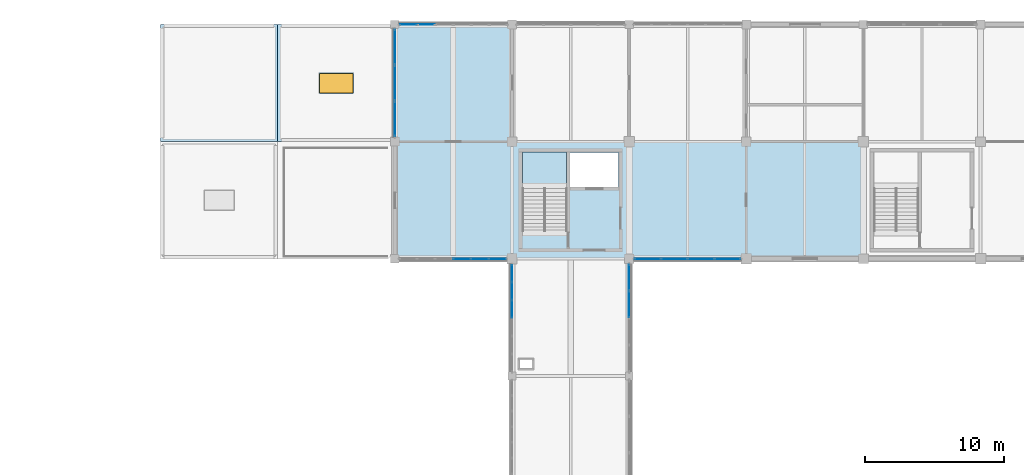
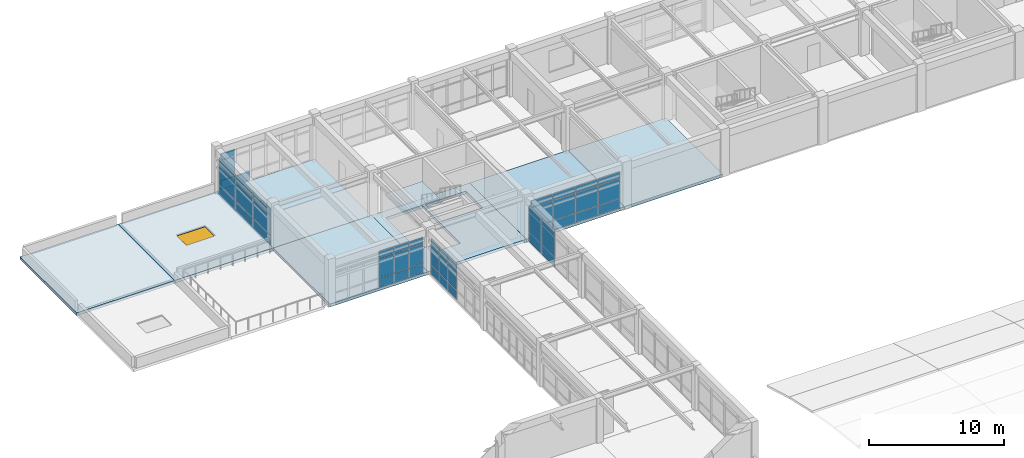
# One storey, part 25 of 40: 49 plates, 8 slabs, 1 window, 1 opening, 7 elements without a shape of their own.
"""IFC4 building model written with IfcOpenShell, lengths in metres."""

from ifc_helpers import new_model, si_unit, direction, frame, origin, origin_2d, place, context, subcontext, project, spatial, polyline, rectangle, outline, extrude, material, layer, layer_set, type_object, element, fill, aggregate, save


model = new_model("IFC4")

# Units and contexts
model_context = context("Model", 3, precision=1e-05, world=origin(), true_north=direction((0.0, 1.0)))
body_context = subcontext(model_context, "Body", "Model", "MODEL_VIEW")
ifc_project = project(units=[si_unit("LENGTHUNIT", "METRE"), si_unit("AREAUNIT", "SQUARE_METRE"), si_unit("VOLUMEUNIT", "CUBIC_METRE"), si_unit("PLANEANGLEUNIT", "RADIAN"), si_unit("MASSUNIT", "GRAM", prefix="KILO")], contexts=[model_context])

# Site, building, storey
site_placement = place(None, origin())
site = spatial("IfcSite", under=ifc_project, at=site_placement, CompositionType="ELEMENT")
building_placement = place(site_placement, origin())
building = spatial("IfcBuilding", under=site, at=building_placement, Name="Porcellanite Civic Hall", CompositionType="ELEMENT")
storey_placement = place(building_placement, frame((0.0, 0.0, 19.080078125)))
storey = spatial("IfcBuildingStorey", under=building, at=storey_placement, Name="L04", CompositionType="ELEMENT", Elevation=19.080078125)

# Curtain wall, plates
ifc_material_1 = material(Name="Anodised aluminium and solar laminated glass", Category="aluminium")
ifc_layer_1 = layer(ifc_material_1, 0.179931640625)
ifc_layer_set_1 = layer_set([ifc_layer_1], Name="Anodised aluminium and solar laminated glass")
curtain_wall_type_1 = type_object("IfcCurtainWallType", Name="CW-SYS01", PredefinedType="NOTDEFINED", material=ifc_layer_set_1)
curtain_wall_1_placement = place(storey_placement, origin())
curtain_wall_1 = element("IfcCurtainWall", 1, at=curtain_wall_1_placement, inside=storey, type_object=curtain_wall_type_1, Name="Curtain wall CW-245", PredefinedType="NOTDEFINED")
ifc_material_2 = material(Name="Cyclone laminated solar-control low-E glass", Category="glass")
ifc_layer_2 = layer(ifc_material_2, 0.033935546875)
ifc_layer_set_2 = layer_set([ifc_layer_2], Name="Cyclone laminated solar-control low-E glass")
plate_type_1 = type_object("IfcPlateType", Name="CWP-06", PredefinedType="CURTAIN_PANEL", material=ifc_layer_set_2)
plate_1_placement = place(storey_placement, frame((50.39990234375, 97.195556640625, 0.059814453125), z_axis=(0.0, 0.0, 1.0), x_axis=(0.0, 1.0, 0.0)))
plate_1 = element("IfcPlate", 2, at=plate_1_placement, type_object=plate_type_1, Name="CW-245 panel 4.1", PredefinedType="CURTAIN_PANEL", context=body_context, shape_type="SweptSolid", body=[
    extrude(rectangle(XDim=1.221435546875, YDim=0.033935546875, at=origin_2d()), origin(), (0.0, 0.0, 1.0), 0.81005859375),
])
plate_2_placement = place(storey_placement, frame((50.39990234375, 97.195556640625, 0.9296875), z_axis=(0.0, 0.0, 1.0), x_axis=(0.0, 1.0, 0.0)))
plate_2 = element("IfcPlate", 3, at=plate_2_placement, type_object=plate_type_1, Name="CW-245 panel 4.2", PredefinedType="CURTAIN_PANEL", context=body_context, shape_type="SweptSolid", body=[
    extrude(rectangle(XDim=1.221435546875, YDim=0.033935546875, at=origin_2d()), origin(), (0.0, 0.0, 1.0), 1.760009765625),
])
plate_3_placement = place(storey_placement, frame((50.39990234375, 97.195556640625, 2.75), z_axis=(0.0, 0.0, 1.0), x_axis=(0.0, 1.0, 0.0)))
plate_3 = element("IfcPlate", 4, at=plate_3_placement, type_object=plate_type_1, Name="CW-245 panel 4.3", PredefinedType="CURTAIN_PANEL", context=body_context, shape_type="SweptSolid", body=[
    extrude(rectangle(XDim=1.221435546875, YDim=0.033935546875, at=origin_2d()), origin(), (0.0, 0.0, 1.0), 0.56005859375),
])
plate_4_placement = place(storey_placement, frame((50.39990234375, 98.487060546875, 0.059814453125), z_axis=(0.0, 0.0, 1.0), x_axis=(0.0, 1.0, 0.0)))
plate_4 = element("IfcPlate", 5, at=plate_4_placement, type_object=plate_type_1, Name="CW-245 panel 5.1", PredefinedType="CURTAIN_PANEL", context=body_context, shape_type="SweptSolid", body=[
    extrude(rectangle(XDim=1.221435546875, YDim=0.033935546875, at=origin_2d()), origin(), (0.0, 0.0, 1.0), 0.81005859375),
])
plate_5_placement = place(storey_placement, frame((50.39990234375, 98.487060546875, 0.9296875), z_axis=(0.0, 0.0, 1.0), x_axis=(0.0, 1.0, 0.0)))
plate_5 = element("IfcPlate", 6, at=plate_5_placement, type_object=plate_type_1, Name="CW-245 panel 5.2", PredefinedType="CURTAIN_PANEL", context=body_context, shape_type="SweptSolid", body=[
    extrude(rectangle(XDim=1.221435546875, YDim=0.033935546875, at=origin_2d()), origin(), (0.0, 0.0, 1.0), 1.760009765625),
])
plate_6_placement = place(storey_placement, frame((50.39990234375, 98.487060546875, 2.75), z_axis=(0.0, 0.0, 1.0), x_axis=(0.0, 1.0, 0.0)))
plate_6 = element("IfcPlate", 7, at=plate_6_placement, type_object=plate_type_1, Name="CW-245 panel 5.3", PredefinedType="CURTAIN_PANEL", context=body_context, shape_type="SweptSolid", body=[
    extrude(rectangle(XDim=1.221435546875, YDim=0.033935546875, at=origin_2d()), origin(), (0.0, 0.0, 1.0), 0.56005859375),
])
plate_7_placement = place(storey_placement, frame((50.39990234375, 99.7607421875, 0.059814453125), z_axis=(0.0, 0.0, 1.0), x_axis=(0.0, 1.0, 0.0)))
plate_7 = element("IfcPlate", 8, at=plate_7_placement, type_object=plate_type_1, Name="CW-245 panel 6.1", PredefinedType="CURTAIN_PANEL", context=body_context, shape_type="SweptSolid", body=[
    extrude(rectangle(XDim=1.186279296875, YDim=0.033935546875, at=origin_2d()), origin(), (0.0, 0.0, 1.0), 0.81005859375),
])
plate_8_placement = place(storey_placement, frame((50.39990234375, 99.7607421875, 0.9296875), z_axis=(0.0, 0.0, 1.0), x_axis=(0.0, 1.0, 0.0)))
plate_8 = element("IfcPlate", 9, at=plate_8_placement, type_object=plate_type_1, Name="CW-245 panel 6.2", PredefinedType="CURTAIN_PANEL", context=body_context, shape_type="SweptSolid", body=[
    extrude(rectangle(XDim=1.186279296875, YDim=0.033935546875, at=origin_2d()), origin(), (0.0, 0.0, 1.0), 1.760009765625),
])
plate_9_placement = place(storey_placement, frame((50.39990234375, 99.7607421875, 2.75), z_axis=(0.0, 0.0, 1.0), x_axis=(0.0, 1.0, 0.0)))
plate_9 = element("IfcPlate", 10, at=plate_9_placement, type_object=plate_type_1, Name="CW-245 panel 6.3", PredefinedType="CURTAIN_PANEL", context=body_context, shape_type="SweptSolid", body=[
    extrude(rectangle(XDim=1.186279296875, YDim=0.033935546875, at=origin_2d()), origin(), (0.0, 0.0, 1.0), 0.56005859375),
])
aggregate(curtain_wall_1, [plate_1, plate_2, plate_3, plate_4, plate_5, plate_6, plate_7, plate_8, plate_9])

ifc_material_3 = material(Name="Anodised aluminium and solar laminated glass", Category="aluminium")
ifc_layer_3 = layer(ifc_material_3, 0.179931640625)
ifc_layer_set_3 = layer_set([ifc_layer_3], Name="Anodised aluminium and solar laminated glass")
curtain_wall_type_2 = type_object("IfcCurtainWallType", Name="CW-SYS03", PredefinedType="NOTDEFINED", material=ifc_layer_set_3)
curtain_wall_2_placement = place(storey_placement, origin())
curtain_wall_2 = element("IfcCurtainWall", 11, at=curtain_wall_2_placement, inside=storey, type_object=curtain_wall_type_2, Name="Curtain wall CW-246", PredefinedType="NOTDEFINED")
ifc_material_4 = material(Name="Cyclone laminated solar-control low-E glass", Category="glass")
ifc_layer_4 = layer(ifc_material_4, 0.035888671875)
ifc_layer_set_4 = layer_set([ifc_layer_4], Name="Cyclone laminated solar-control low-E glass")
plate_type_2 = type_object("IfcPlateType", Name="CWP-07", PredefinedType="CURTAIN_PANEL", material=ifc_layer_set_4)
plate_10_placement = place(storey_placement, frame((58.800048828125, 99.457275390625, 0.054931640625), z_axis=(0.0, 0.0, 1.0), x_axis=(0.0, -1.0, 0.0)))
plate_10 = element("IfcPlate", 12, at=plate_10_placement, type_object=plate_type_2, Name="CW-246 panel 1.1", PredefinedType="CURTAIN_PANEL", context=body_context, shape_type="SweptSolid", body=[
    extrude(rectangle(XDim=1.8232421875, YDim=0.035888671875, at=origin_2d()), origin(), (0.0, 0.0, 1.0), 0.8173828125),
])
plate_11_placement = place(storey_placement, frame((58.800048828125, 99.457275390625, 0.92724609375), z_axis=(0.0, 0.0, 1.0), x_axis=(0.0, -1.0, 0.0)))
plate_11 = element("IfcPlate", 13, at=plate_11_placement, type_object=plate_type_2, Name="CW-246 panel 1.2", PredefinedType="CURTAIN_PANEL", context=body_context, shape_type="SweptSolid", body=[
    extrude(rectangle(XDim=1.8232421875, YDim=0.035888671875, at=origin_2d()), origin(), (0.0, 0.0, 1.0), 1.764892578125),
])
plate_12_placement = place(storey_placement, frame((58.800048828125, 99.457275390625, 2.74755859375), z_axis=(0.0, 0.0, 1.0), x_axis=(0.0, -1.0, 0.0)))
plate_12 = element("IfcPlate", 14, at=plate_12_placement, type_object=plate_type_2, Name="CW-246 panel 1.3", PredefinedType="CURTAIN_PANEL", context=body_context, shape_type="SweptSolid", body=[
    extrude(rectangle(XDim=1.8232421875, YDim=0.035888671875, at=origin_2d()), origin(), (0.0, 0.0, 1.0), 0.5673828125),
])
plate_13_placement = place(storey_placement, frame((58.800048828125, 97.5341796875, 0.054931640625), z_axis=(0.0, 0.0, 1.0), x_axis=(0.0, -1.0, 0.0)))
plate_13 = element("IfcPlate", 15, at=plate_13_placement, type_object=plate_type_2, Name="CW-246 panel 2.1", PredefinedType="CURTAIN_PANEL", context=body_context, shape_type="SweptSolid", body=[
    extrude(rectangle(XDim=1.86328125, YDim=0.035888671875, at=origin_2d()), origin(), (0.0, 0.0, 1.0), 0.8173828125),
])
plate_14_placement = place(storey_placement, frame((58.800048828125, 97.5341796875, 0.92724609375), z_axis=(0.0, 0.0, 1.0), x_axis=(0.0, -1.0, 0.0)))
plate_14 = element("IfcPlate", 16, at=plate_14_placement, type_object=plate_type_2, Name="CW-246 panel 2.2", PredefinedType="CURTAIN_PANEL", context=body_context, shape_type="SweptSolid", body=[
    extrude(rectangle(XDim=1.86328125, YDim=0.035888671875, at=origin_2d()), origin(), (0.0, 0.0, 1.0), 1.764892578125),
])
plate_15_placement = place(storey_placement, frame((58.800048828125, 97.5341796875, 2.74755859375), z_axis=(0.0, 0.0, 1.0), x_axis=(0.0, -1.0, 0.0)))
plate_15 = element("IfcPlate", 17, at=plate_15_placement, type_object=plate_type_2, Name="CW-246 panel 2.3", PredefinedType="CURTAIN_PANEL", context=body_context, shape_type="SweptSolid", body=[
    extrude(rectangle(XDim=1.86328125, YDim=0.035888671875, at=origin_2d()), origin(), (0.0, 0.0, 1.0), 0.5673828125),
])
aggregate(curtain_wall_2, [plate_10, plate_11, plate_12, plate_13, plate_14, plate_15])

ifc_material_5 = material(Name="Anodised aluminium and solar laminated glass", Category="aluminium")
ifc_layer_5 = layer(ifc_material_5, 0.179931640625)
ifc_layer_set_5 = layer_set([ifc_layer_5], Name="Anodised aluminium and solar laminated glass")
curtain_wall_type_3 = type_object("IfcCurtainWallType", Name="CW-SYS07", PredefinedType="NOTDEFINED", material=ifc_layer_set_5)
curtain_wall_3_placement = place(storey_placement, origin())
curtain_wall_3 = element("IfcCurtainWall", 18, at=curtain_wall_3_placement, inside=storey, type_object=curtain_wall_type_3, Name="Curtain wall CW-237", PredefinedType="NOTDEFINED")
ifc_material_6 = material(Name="Insulated ochre aluminium spandrel panel", Category="aluminium")
ifc_layer_6 = layer(ifc_material_6, 0.0380859375)
ifc_layer_set_6 = layer_set([ifc_layer_6], Name="Insulated ochre aluminium spandrel panel")
plate_type_3 = type_object("IfcPlateType", Name="CWP-08", PredefinedType="CURTAIN_PANEL", material=ifc_layer_set_6)
plate_16_placement = place(storey_placement, frame((49.365478515625, 100.800048828125, 0.0498046875), z_axis=(0.0, 0.0, 1.0), x_axis=(-1.0, 0.0, 0.0)))
plate_16 = element("IfcPlate", 19, at=plate_16_placement, type_object=plate_type_3, Name="CW-237 panel 1.1", PredefinedType="CURTAIN_PANEL", context=body_context, shape_type="SweptSolid", body=[
    extrude(rectangle(XDim=1.197265625, YDim=0.0380859375, at=origin_2d()), origin(), (0.0, 0.0, 1.0), 0.824951171875),
])
plate_17_placement = place(storey_placement, frame((49.365478515625, 100.800048828125, 0.9248046875), z_axis=(0.0, 0.0, 1.0), x_axis=(-1.0, 0.0, 0.0)))
plate_17 = element("IfcPlate", 20, at=plate_17_placement, type_object=plate_type_3, Name="CW-237 panel 1.2", PredefinedType="CURTAIN_PANEL", context=body_context, shape_type="SweptSolid", body=[
    extrude(rectangle(XDim=1.197265625, YDim=0.0380859375, at=origin_2d()), origin(), (0.0, 0.0, 1.0), 1.77001953125),
])
plate_18_placement = place(storey_placement, frame((49.365478515625, 100.800048828125, 2.7451171875), z_axis=(0.0, 0.0, 1.0), x_axis=(-1.0, 0.0, 0.0)))
plate_18 = element("IfcPlate", 21, at=plate_18_placement, type_object=plate_type_3, Name="CW-237 panel 1.3", PredefinedType="CURTAIN_PANEL", context=body_context, shape_type="SweptSolid", body=[
    extrude(rectangle(XDim=1.197265625, YDim=0.0380859375, at=origin_2d()), origin(), (0.0, 0.0, 1.0), 0.574951171875),
])
plate_19_placement = place(storey_placement, frame((48.09326171875, 100.800048828125, 0.0498046875), z_axis=(0.0, 0.0, 1.0), x_axis=(-1.0, 0.0, 0.0)))
plate_19 = element("IfcPlate", 22, at=plate_19_placement, type_object=plate_type_3, Name="CW-237 panel 2.1", PredefinedType="CURTAIN_PANEL", context=body_context, shape_type="SweptSolid", body=[
    extrude(rectangle(XDim=1.22705078125, YDim=0.0380859375, at=origin_2d()), origin(), (0.0, 0.0, 1.0), 0.824951171875),
])
plate_20_placement = place(storey_placement, frame((48.09326171875, 100.800048828125, 0.9248046875), z_axis=(0.0, 0.0, 1.0), x_axis=(-1.0, 0.0, 0.0)))
plate_20 = element("IfcPlate", 23, at=plate_20_placement, type_object=plate_type_3, Name="CW-237 panel 2.2", PredefinedType="CURTAIN_PANEL", context=body_context, shape_type="SweptSolid", body=[
    extrude(rectangle(XDim=1.22705078125, YDim=0.0380859375, at=origin_2d()), origin(), (0.0, 0.0, 1.0), 1.77001953125),
])
plate_21_placement = place(storey_placement, frame((48.09326171875, 100.800048828125, 2.7451171875), z_axis=(0.0, 0.0, 1.0), x_axis=(-1.0, 0.0, 0.0)))
plate_21 = element("IfcPlate", 24, at=plate_21_placement, type_object=plate_type_3, Name="CW-237 panel 2.3", PredefinedType="CURTAIN_PANEL", context=body_context, shape_type="SweptSolid", body=[
    extrude(rectangle(XDim=1.22705078125, YDim=0.0380859375, at=origin_2d()), origin(), (0.0, 0.0, 1.0), 0.574951171875),
])
plate_22_placement = place(storey_placement, frame((46.80615234375, 100.800048828125, 0.0498046875), z_axis=(0.0, 0.0, 1.0), x_axis=(-1.0, 0.0, 0.0)))
plate_22 = element("IfcPlate", 25, at=plate_22_placement, type_object=plate_type_3, Name="CW-237 panel 3.1", PredefinedType="CURTAIN_PANEL", context=body_context, shape_type="SweptSolid", body=[
    extrude(rectangle(XDim=1.22705078125, YDim=0.0380859375, at=origin_2d()), origin(), (0.0, 0.0, 1.0), 0.824951171875),
])
plate_23_placement = place(storey_placement, frame((46.80615234375, 100.800048828125, 0.9248046875), z_axis=(0.0, 0.0, 1.0), x_axis=(-1.0, 0.0, 0.0)))
plate_23 = element("IfcPlate", 26, at=plate_23_placement, type_object=plate_type_3, Name="CW-237 panel 3.2", PredefinedType="CURTAIN_PANEL", context=body_context, shape_type="SweptSolid", body=[
    extrude(rectangle(XDim=1.22705078125, YDim=0.0380859375, at=origin_2d()), origin(), (0.0, 0.0, 1.0), 1.77001953125),
])
plate_24_placement = place(storey_placement, frame((46.80615234375, 100.800048828125, 2.7451171875), z_axis=(0.0, 0.0, 1.0), x_axis=(-1.0, 0.0, 0.0)))
plate_24 = element("IfcPlate", 27, at=plate_24_placement, type_object=plate_type_3, Name="CW-237 panel 3.3", PredefinedType="CURTAIN_PANEL", context=body_context, shape_type="SweptSolid", body=[
    extrude(rectangle(XDim=1.22705078125, YDim=0.0380859375, at=origin_2d()), origin(), (0.0, 0.0, 1.0), 0.574951171875),
])
aggregate(curtain_wall_3, [plate_16, plate_17, plate_18, plate_19, plate_20, plate_21, plate_22, plate_23, plate_24])

ifc_material_7 = material(Name="Anodised aluminium and solar laminated glass", Category="aluminium")
ifc_layer_7 = layer(ifc_material_7, 0.179931640625)
ifc_layer_set_7 = layer_set([ifc_layer_7], Name="Anodised aluminium and solar laminated glass")
curtain_wall_type_4 = type_object("IfcCurtainWallType", Name="CW-SYS08", PredefinedType="NOTDEFINED", material=ifc_layer_set_7)
curtain_wall_4_placement = place(storey_placement, origin())
curtain_wall_4 = element("IfcCurtainWall", 28, at=curtain_wall_4_placement, inside=storey, type_object=curtain_wall_type_4, Name="Curtain wall CW-238", PredefinedType="NOTDEFINED")
ifc_material_8 = material(Name="Insulated ochre aluminium spandrel panel", Category="aluminium")
ifc_layer_8 = layer(ifc_material_8, 0.0419921875)
ifc_layer_set_8 = layer_set([ifc_layer_8], Name="Insulated ochre aluminium spandrel panel")
plate_type_4 = type_object("IfcPlateType", Name="CWP-09", PredefinedType="CURTAIN_PANEL", material=ifc_layer_set_8)
plate_25_placement = place(storey_placement, frame((42.0, 110.841552734375, 0.070068359375), z_axis=(0.0, 0.0, 1.0), x_axis=(0.0, 1.0, 0.0)))
plate_25 = element("IfcPlate", 29, at=plate_25_placement, type_object=plate_type_4, Name="CW-238 panel 1.1", PredefinedType="CURTAIN_PANEL", context=body_context, shape_type="SweptSolid", body=[
    extrude(rectangle(XDim=2.470947265625, YDim=0.0419921875, at=origin_2d()), origin(), (0.0, 0.0, 1.0), 0.794921875),
])
plate_26_placement = place(storey_placement, frame((42.0, 110.841552734375, 0.934814453125), z_axis=(0.0, 0.0, 1.0), x_axis=(0.0, 1.0, 0.0)))
plate_26 = element("IfcPlate", 30, at=plate_26_placement, type_object=plate_type_4, Name="CW-238 panel 1.2", PredefinedType="CURTAIN_PANEL", context=body_context, shape_type="SweptSolid", body=[
    extrude(rectangle(XDim=2.470947265625, YDim=0.0419921875, at=origin_2d()), origin(), (0.0, 0.0, 1.0), 1.75),
])
plate_27_placement = place(storey_placement, frame((42.0, 110.841552734375, 2.7548828125), z_axis=(0.0, 0.0, 1.0), x_axis=(0.0, 1.0, 0.0)))
plate_27 = element("IfcPlate", 31, at=plate_27_placement, type_object=plate_type_4, Name="CW-238 panel 1.3", PredefinedType="CURTAIN_PANEL", context=body_context, shape_type="SweptSolid", body=[
    extrude(rectangle(XDim=2.470947265625, YDim=0.0419921875, at=origin_2d()), origin(), (0.0, 0.0, 1.0), 0.544921875),
])
plate_28_placement = place(storey_placement, frame((42.0, 113.41259765625, 0.070068359375), z_axis=(0.0, 0.0, 1.0), x_axis=(0.0, 1.0, 0.0)))
plate_28 = element("IfcPlate", 32, at=plate_28_placement, type_object=plate_type_4, Name="CW-238 panel 2.1", PredefinedType="CURTAIN_PANEL", context=body_context, shape_type="SweptSolid", body=[
    extrude(rectangle(XDim=2.510986328125, YDim=0.0419921875, at=origin_2d()), origin(), (0.0, 0.0, 1.0), 0.794921875),
])
plate_29_placement = place(storey_placement, frame((42.0, 113.41259765625, 0.934814453125), z_axis=(0.0, 0.0, 1.0), x_axis=(0.0, 1.0, 0.0)))
plate_29 = element("IfcPlate", 33, at=plate_29_placement, type_object=plate_type_4, Name="CW-238 panel 2.2", PredefinedType="CURTAIN_PANEL", context=body_context, shape_type="SweptSolid", body=[
    extrude(rectangle(XDim=2.510986328125, YDim=0.0419921875, at=origin_2d()), origin(), (0.0, 0.0, 1.0), 1.75),
])
plate_30_placement = place(storey_placement, frame((42.0, 113.41259765625, 2.7548828125), z_axis=(0.0, 0.0, 1.0), x_axis=(0.0, 1.0, 0.0)))
plate_30 = element("IfcPlate", 34, at=plate_30_placement, type_object=plate_type_4, Name="CW-238 panel 2.3", PredefinedType="CURTAIN_PANEL", context=body_context, shape_type="SweptSolid", body=[
    extrude(rectangle(XDim=2.510986328125, YDim=0.0419921875, at=origin_2d()), origin(), (0.0, 0.0, 1.0), 0.544921875),
])
plate_31_placement = place(storey_placement, frame((42.0, 115.9833984375, 0.070068359375), z_axis=(0.0, 0.0, 1.0), x_axis=(0.0, 1.0, 0.0)))
plate_31 = element("IfcPlate", 35, at=plate_31_placement, type_object=plate_type_4, Name="CW-238 panel 3.1", PredefinedType="CURTAIN_PANEL", context=body_context, shape_type="SweptSolid", body=[
    extrude(rectangle(XDim=2.470947265625, YDim=0.0419921875, at=origin_2d()), origin(), (0.0, 0.0, 1.0), 0.794921875),
])
plate_32_placement = place(storey_placement, frame((42.0, 115.9833984375, 0.934814453125), z_axis=(0.0, 0.0, 1.0), x_axis=(0.0, 1.0, 0.0)))
plate_32 = element("IfcPlate", 36, at=plate_32_placement, type_object=plate_type_4, Name="CW-238 panel 3.2", PredefinedType="CURTAIN_PANEL", context=body_context, shape_type="SweptSolid", body=[
    extrude(rectangle(XDim=2.470947265625, YDim=0.0419921875, at=origin_2d()), origin(), (0.0, 0.0, 1.0), 1.75),
])
plate_33_placement = place(storey_placement, frame((42.0, 115.9833984375, 2.7548828125), z_axis=(0.0, 0.0, 1.0), x_axis=(0.0, 1.0, 0.0)))
plate_33 = element("IfcPlate", 37, at=plate_33_placement, type_object=plate_type_4, Name="CW-238 panel 3.3", PredefinedType="CURTAIN_PANEL", context=body_context, shape_type="SweptSolid", body=[
    extrude(rectangle(XDim=2.470947265625, YDim=0.0419921875, at=origin_2d()), origin(), (0.0, 0.0, 1.0), 0.544921875),
])
aggregate(curtain_wall_4, [plate_25, plate_26, plate_27, plate_28, plate_29, plate_30, plate_31, plate_32, plate_33])

ifc_material_9 = material(Name="Anodised aluminium and solar laminated glass", Category="aluminium")
ifc_layer_9 = layer(ifc_material_9, 0.179931640625)
ifc_layer_set_9 = layer_set([ifc_layer_9], Name="Anodised aluminium and solar laminated glass")
curtain_wall_type_5 = type_object("IfcCurtainWallType", Name="CW-SYS06", PredefinedType="NOTDEFINED", material=ifc_layer_set_9)
curtain_wall_5_placement = place(storey_placement, origin())
curtain_wall_5 = element("IfcCurtainWall", 38, at=curtain_wall_5_placement, inside=storey, type_object=curtain_wall_type_5, Name="Curtain wall CW-248", PredefinedType="NOTDEFINED")
plate_34_placement = place(storey_placement, frame((65.8486328125, 100.800048828125, 0.0498046875), z_axis=(0.0, 0.0, 1.0), x_axis=(-1.0, 0.0, 0.0)))
plate_34 = element("IfcPlate", 39, at=plate_34_placement, type_object=plate_type_4, Name="CW-248 panel 1.1", PredefinedType="CURTAIN_PANEL", context=body_context, shape_type="SweptSolid", body=[
    extrude(rectangle(XDim=1.82080078125, YDim=0.0419921875, at=origin_2d()), origin(), (0.0, 0.0, 1.0), 0.824951171875),
])
plate_35_placement = place(storey_placement, frame((65.8486328125, 100.800048828125, 0.9248046875), z_axis=(0.0, 0.0, 1.0), x_axis=(-1.0, 0.0, 0.0)))
plate_35 = element("IfcPlate", 40, at=plate_35_placement, type_object=plate_type_4, Name="CW-248 panel 1.2", PredefinedType="CURTAIN_PANEL", context=body_context, shape_type="SweptSolid", body=[
    extrude(rectangle(XDim=1.82080078125, YDim=0.0419921875, at=origin_2d()), origin(), (0.0, 0.0, 1.0), 1.77001953125),
])
plate_36_placement = place(storey_placement, frame((65.8486328125, 100.800048828125, 2.7451171875), z_axis=(0.0, 0.0, 1.0), x_axis=(-1.0, 0.0, 0.0)))
plate_36 = element("IfcPlate", 41, at=plate_36_placement, type_object=plate_type_4, Name="CW-248 panel 1.3", PredefinedType="CURTAIN_PANEL", context=body_context, shape_type="SweptSolid", body=[
    extrude(rectangle(XDim=1.82080078125, YDim=0.0419921875, at=origin_2d()), origin(), (0.0, 0.0, 1.0), 0.574951171875),
])
plate_37_placement = place(storey_placement, frame((63.946533203125, 100.800048828125, 0.0498046875), z_axis=(0.0, 0.0, 1.0), x_axis=(-1.0, 0.0, 0.0)))
plate_37 = element("IfcPlate", 42, at=plate_37_placement, type_object=plate_type_4, Name="CW-248 panel 2.1", PredefinedType="CURTAIN_PANEL", context=body_context, shape_type="SweptSolid", body=[
    extrude(rectangle(XDim=1.853271484375, YDim=0.0419921875, at=origin_2d()), origin(), (0.0, 0.0, 1.0), 0.824951171875),
])
plate_38_placement = place(storey_placement, frame((63.946533203125, 100.800048828125, 0.9248046875), z_axis=(0.0, 0.0, 1.0), x_axis=(-1.0, 0.0, 0.0)))
plate_38 = element("IfcPlate", 43, at=plate_38_placement, type_object=plate_type_4, Name="CW-248 panel 2.2", PredefinedType="CURTAIN_PANEL", context=body_context, shape_type="SweptSolid", body=[
    extrude(rectangle(XDim=1.853271484375, YDim=0.0419921875, at=origin_2d()), origin(), (0.0, 0.0, 1.0), 1.77001953125),
])
plate_39_placement = place(storey_placement, frame((63.946533203125, 100.800048828125, 2.7451171875), z_axis=(0.0, 0.0, 1.0), x_axis=(-1.0, 0.0, 0.0)))
plate_39 = element("IfcPlate", 44, at=plate_39_placement, type_object=plate_type_4, Name="CW-248 panel 2.3", PredefinedType="CURTAIN_PANEL", context=body_context, shape_type="SweptSolid", body=[
    extrude(rectangle(XDim=1.853271484375, YDim=0.0419921875, at=origin_2d()), origin(), (0.0, 0.0, 1.0), 0.574951171875),
])
plate_40_placement = place(storey_placement, frame((62.0283203125, 100.800048828125, 0.0498046875), z_axis=(0.0, 0.0, 1.0), x_axis=(-1.0, 0.0, 0.0)))
plate_40 = element("IfcPlate", 45, at=plate_40_placement, type_object=plate_type_4, Name="CW-248 panel 3.1", PredefinedType="CURTAIN_PANEL", context=body_context, shape_type="SweptSolid", body=[
    extrude(rectangle(XDim=1.853271484375, YDim=0.0419921875, at=origin_2d()), origin(), (0.0, 0.0, 1.0), 0.824951171875),
])
plate_41_placement = place(storey_placement, frame((62.0283203125, 100.800048828125, 0.9248046875), z_axis=(0.0, 0.0, 1.0), x_axis=(-1.0, 0.0, 0.0)))
plate_41 = element("IfcPlate", 46, at=plate_41_placement, type_object=plate_type_4, Name="CW-248 panel 3.2", PredefinedType="CURTAIN_PANEL", context=body_context, shape_type="SweptSolid", body=[
    extrude(rectangle(XDim=1.853271484375, YDim=0.0419921875, at=origin_2d()), origin(), (0.0, 0.0, 1.0), 1.77001953125),
])
plate_42_placement = place(storey_placement, frame((62.0283203125, 100.800048828125, 2.7451171875), z_axis=(0.0, 0.0, 1.0), x_axis=(-1.0, 0.0, 0.0)))
plate_42 = element("IfcPlate", 47, at=plate_42_placement, type_object=plate_type_4, Name="CW-248 panel 3.3", PredefinedType="CURTAIN_PANEL", context=body_context, shape_type="SweptSolid", body=[
    extrude(rectangle(XDim=1.853271484375, YDim=0.0419921875, at=origin_2d()), origin(), (0.0, 0.0, 1.0), 0.574951171875),
])
plate_43_placement = place(storey_placement, frame((60.12646484375, 100.800048828125, 0.0498046875), z_axis=(0.0, 0.0, 1.0), x_axis=(-1.0, 0.0, 0.0)))
plate_43 = element("IfcPlate", 48, at=plate_43_placement, type_object=plate_type_4, Name="CW-248 panel 4.1", PredefinedType="CURTAIN_PANEL", context=body_context, shape_type="SweptSolid", body=[
    extrude(rectangle(XDim=1.82080078125, YDim=0.0419921875, at=origin_2d()), origin(), (0.0, 0.0, 1.0), 0.824951171875),
])
plate_44_placement = place(storey_placement, frame((60.12646484375, 100.800048828125, 0.9248046875), z_axis=(0.0, 0.0, 1.0), x_axis=(-1.0, 0.0, 0.0)))
plate_44 = element("IfcPlate", 49, at=plate_44_placement, type_object=plate_type_4, Name="CW-248 panel 4.2", PredefinedType="CURTAIN_PANEL", context=body_context, shape_type="SweptSolid", body=[
    extrude(rectangle(XDim=1.82080078125, YDim=0.0419921875, at=origin_2d()), origin(), (0.0, 0.0, 1.0), 1.77001953125),
])
plate_45_placement = place(storey_placement, frame((60.12646484375, 100.800048828125, 2.7451171875), z_axis=(0.0, 0.0, 1.0), x_axis=(-1.0, 0.0, 0.0)))
plate_45 = element("IfcPlate", 50, at=plate_45_placement, type_object=plate_type_4, Name="CW-248 panel 4.3", PredefinedType="CURTAIN_PANEL", context=body_context, shape_type="SweptSolid", body=[
    extrude(rectangle(XDim=1.82080078125, YDim=0.0419921875, at=origin_2d()), origin(), (0.0, 0.0, 1.0), 0.574951171875),
])
aggregate(curtain_wall_5, [plate_34, plate_35, plate_36, plate_37, plate_38, plate_39, plate_40, plate_41, plate_42, plate_43, plate_44, plate_45])

curtain_wall_6_placement = place(storey_placement, origin())
curtain_wall_6 = element("IfcCurtainWall", 51, at=curtain_wall_6_placement, inside=storey, type_object=curtain_wall_type_1, Name="Curtain wall CW-239", PredefinedType="NOTDEFINED")
ifc_material_10 = material(Name="Insulated ochre aluminium spandrel panel", Category="aluminium")
ifc_layer_10 = layer(ifc_material_10, 0.0458984375)
ifc_layer_set_10 = layer_set([ifc_layer_10], Name="Insulated ochre aluminium spandrel panel")
plate_type_5 = type_object("IfcPlateType", Name="CWP-10", PredefinedType="CURTAIN_PANEL", material=ifc_layer_set_10)
plate_46_placement = place(storey_placement, frame((42.96630859375, 117.60009765625, 0.059814453125), z_axis=(0.0, 0.0, 1.0), x_axis=(1.0, 0.0, 0.0)))
plate_46 = element("IfcPlate", 52, at=plate_46_placement, type_object=plate_type_5, Name="CW-239 panel 1.1", PredefinedType="CURTAIN_PANEL", context=body_context, shape_type="SweptSolid", body=[
    extrude(rectangle(XDim=1.1904296875, YDim=0.0458984375, at=origin_2d()), origin(), (0.0, 0.0, 1.0), 0.81005859375),
])
plate_47_placement = place(storey_placement, frame((42.96630859375, 117.60009765625, 0.9296875), z_axis=(0.0, 0.0, 1.0), x_axis=(1.0, 0.0, 0.0)))
plate_47 = element("IfcPlate", 53, at=plate_47_placement, type_object=plate_type_5, Name="CW-239 panel 1.2", PredefinedType="CURTAIN_PANEL", context=body_context, shape_type="SweptSolid", body=[
    extrude(rectangle(XDim=1.1904296875, YDim=0.0458984375, at=origin_2d()), origin(), (0.0, 0.0, 1.0), 1.760009765625),
])
plate_48_placement = place(storey_placement, frame((42.96630859375, 117.60009765625, 2.75), z_axis=(0.0, 0.0, 1.0), x_axis=(1.0, 0.0, 0.0)))
plate_48 = element("IfcPlate", 54, at=plate_48_placement, type_object=plate_type_5, Name="CW-239 panel 1.3", PredefinedType="CURTAIN_PANEL", context=body_context, shape_type="SweptSolid", body=[
    extrude(rectangle(XDim=1.1904296875, YDim=0.0458984375, at=origin_2d()), origin(), (0.0, 0.0, 1.0), 0.56005859375),
])
plate_49_placement = place(storey_placement, frame((44.244140625, 117.60009765625, 0.059814453125), z_axis=(0.0, 0.0, 1.0), x_axis=(1.0, 0.0, 0.0)))
plate_49 = element("IfcPlate", 55, at=plate_49_placement, type_object=plate_type_5, Name="CW-239 panel 2.1", PredefinedType="CURTAIN_PANEL", context=body_context, shape_type="SweptSolid", body=[
    extrude(rectangle(XDim=1.2255859375, YDim=0.0458984375, at=origin_2d()), origin(), (0.0, 0.0, 1.0), 0.81005859375),
])
aggregate(curtain_wall_6, [plate_46, plate_47, plate_48, plate_49])

# Stair, slab
ifc_material_11 = material(Name="Concrete N40 (40 MPa)", Category="concrete")
stair_type = type_object("IfcStairType", Name="STR-HT24", PredefinedType="HALF_TURN_STAIR", material=ifc_material_11)
stair_placement = place(storey_placement, origin())
stair = element("IfcStair", 56, at=stair_placement, inside=storey, type_object=stair_type, Name="Fire stair ST-03 L04", PredefinedType="HALF_TURN_STAIR")
ifc_material_12 = material(Name="Concrete N40 (40 MPa)", Category="concrete")
ifc_layer_11 = layer(ifc_material_12, 0.179931640625)
ifc_layer_set_11 = layer_set([ifc_layer_11], Name="Concrete N40 (40 MPa)")
slab_type_1 = type_object("IfcSlabType", Name="LND-18", PredefinedType="LANDING", material=ifc_layer_set_11)
slab_1_placement = place(storey_placement, frame((0.0, 0.0, 1.97998046875)))
slab_1 = element("IfcSlab", 57, at=slab_1_placement, type_object=slab_type_1, Name="ST-03 landing 1", PredefinedType="LANDING", context=body_context, shape_type="SweptSolid", body=[
    extrude(outline(polyline([(51.140380859375, 105.824951171875), (54.319580078125, 105.824951171875), (54.319580078125, 108.45947265625), (51.140380859375, 108.45947265625), (51.140380859375, 105.824951171875)])), origin(), (0.0, 0.0, 1.0), 0.179931640625),
])
aggregate(stair, [slab_1])

# Slabs
ifc_material_13 = material(Name="Concrete N40 (40 MPa)", Category="concrete")
ifc_layer_12 = layer(ifc_material_13, 0.25)
ifc_layer_set_12 = layer_set([ifc_layer_12], Name="Concrete N40 (40 MPa)")
slab_type_2 = type_object("IfcSlabType", Name="SL-FL250", PredefinedType="FLOOR", material=ifc_layer_set_12)
slab_2_placement = place(storey_placement, frame((0.0, 0.0, -0.25)))
element("IfcSlab", 58, at=slab_2_placement, inside=storey, type_object=slab_type_2, Name="Slab L04 bay 6-13", PredefinedType="FLOOR", context=body_context, shape_type="SweptSolid", body=[
    extrude(outline(polyline([(42.0, 100.800048828125), (50.39990234375, 100.800048828125), (50.39990234375, 109.199951171875), (42.0, 109.199951171875), (42.0, 100.800048828125)])), origin(), (0.0, 0.0, 1.0), 0.25),
])
slab_3_placement = place(storey_placement, frame((0.0, 0.0, -0.25)))
element("IfcSlab", 59, at=slab_3_placement, inside=storey, type_object=slab_type_2, Name="Slab L04 bay 6-14", PredefinedType="FLOOR", context=body_context, shape_type="SweptSolid", body=[
    extrude(outline(polyline([(42.0, 109.199951171875), (50.39990234375, 109.199951171875), (50.39990234375, 117.60009765625), (42.0, 117.60009765625), (42.0, 109.199951171875)])), origin(), (0.0, 0.0, 1.0), 0.25),
])
slab_4_placement = place(storey_placement, frame((0.0, 0.0, -0.25)))
element("IfcSlab", 60, at=slab_4_placement, inside=storey, type_object=slab_type_2, Name="Slab L04 bay 7-13", PredefinedType="FLOOR", context=body_context, shape_type="SweptSolid", body=[
    extrude(outline(polyline([(50.39990234375, 100.800048828125), (58.800048828125, 100.800048828125), (58.800048828125, 109.199951171875), (50.39990234375, 109.199951171875), (50.39990234375, 100.800048828125)]), holes=[polyline([(51.179931640625, 103.64990234375), (52.760009765625, 103.64990234375), (52.760009765625, 102.800048828125), (54.320068359375, 102.800048828125), (54.320068359375, 108.419921875), (51.179931640625, 108.419921875), (51.179931640625, 103.64990234375)]), polyline([(54.56005859375, 105.93994140625), (58.02001953125, 105.93994140625), (58.02001953125, 108.419921875), (54.56005859375, 108.419921875), (54.56005859375, 105.93994140625)])]), origin(), (0.0, 0.0, 1.0), 0.25),
])
slab_5_placement = place(storey_placement, frame((0.0, 0.0, -0.25)))
element("IfcSlab", 61, at=slab_5_placement, inside=storey, type_object=slab_type_2, Name="Slab L04 bay 8-13", PredefinedType="FLOOR", context=body_context, shape_type="SweptSolid", body=[
    extrude(outline(polyline([(58.800048828125, 100.800048828125), (67.199951171875, 100.800048828125), (67.199951171875, 109.199951171875), (58.800048828125, 109.199951171875), (58.800048828125, 100.800048828125)])), origin(), (0.0, 0.0, 1.0), 0.25),
])
slab_6_placement = place(storey_placement, frame((0.0, 0.0, -0.25)))
element("IfcSlab", 62, at=slab_6_placement, inside=storey, type_object=slab_type_2, Name="Slab L04 bay 9-13", PredefinedType="FLOOR", context=body_context, shape_type="SweptSolid", body=[
    extrude(outline(polyline([(67.199951171875, 100.800048828125), (75.60009765625, 100.800048828125), (75.60009765625, 109.199951171875), (67.199951171875, 109.199951171875), (67.199951171875, 100.800048828125)])), origin(), (0.0, 0.0, 1.0), 0.25),
])
ifc_material_14 = material(Name="Concrete N40 (40 MPa)", Category="concrete")
ifc_layer_13 = layer(ifc_material_14, 0.25)
ifc_layer_set_13 = layer_set([ifc_layer_13], Name="Concrete N40 (40 MPa)")
slab_type_3 = type_object("IfcSlabType", Name="SL-RF250", PredefinedType="ROOF", material=ifc_layer_set_13)
slab_7_placement = place(storey_placement, frame((0.0, 0.0, -0.25)))
element("IfcSlab", 63, at=slab_7_placement, inside=storey, type_object=slab_type_3, Name="Roof slab L04 4-14", PredefinedType="ROOF", context=body_context, shape_type="SweptSolid", body=[
    extrude(outline(polyline([(25.199951171875, 109.199951171875), (33.60009765625, 109.199951171875), (33.60009765625, 117.60009765625), (25.199951171875, 117.60009765625), (25.199951171875, 109.199951171875)])), origin(), (0.0, 0.0, 1.0), 0.25),
])

# Slab, opening, window
slab_8_placement = place(storey_placement, frame((0.0, 0.0, -0.25)))
slab_8 = element("IfcSlab", 64, at=slab_8_placement, inside=storey, type_object=slab_type_3, Name="Roof slab L04 5-14", PredefinedType="ROOF", context=body_context, shape_type="SweptSolid", body=[
    extrude(outline(polyline([(33.60009765625, 109.199951171875), (42.0, 109.199951171875), (42.0, 117.60009765625), (33.60009765625, 117.60009765625), (33.60009765625, 109.199951171875)])), origin(), (0.0, 0.0, 1.0), 0.25),
])
opening_placement = place(slab_8_placement, frame((37.800048828125, 113.39990234375, 0.0)))
opening = element("IfcOpeningElement", 65, at=opening_placement, cuts=slab_8, Name="Opening SK5", PredefinedType="OPENING", context=body_context, shape_type="SweptSolid", body=[
    extrude(rectangle(XDim=2.39990234375, YDim=1.39990234375, at=origin_2d()), origin(), (0.0, 0.0, 1.0), 0.25),
])
ifc_material_15 = material(Name="Cyclone laminated low-E glazing in anodised aluminium frame", Category="aluminium")
window_type = type_object("IfcWindowType", Name="SK-05", PartitioningType="DOUBLE_PANEL_VERTICAL", PredefinedType="SKYLIGHT", material=ifc_material_15)
window_placement = place(opening_placement, frame((0.0, 0.0, 0.199951171875)))
window = element("IfcWindow", 66, at=window_placement, inside=storey, type_object=window_type, Name="Roof skylight SK5 L04 5-14", OverallHeight=1.39990234375, OverallWidth=2.39990234375, PartitioningType="SINGLE_PANEL", PredefinedType="SKYLIGHT", context=body_context, shape_type="SweptSolid", body=[
    extrude(rectangle(XDim=2.39990234375, YDim=1.39990234375, at=origin_2d()), origin(), (0.0, 0.0, 1.0), 0.050048828125),
])
fill(opening, window)

save(model, "model.ifc")
